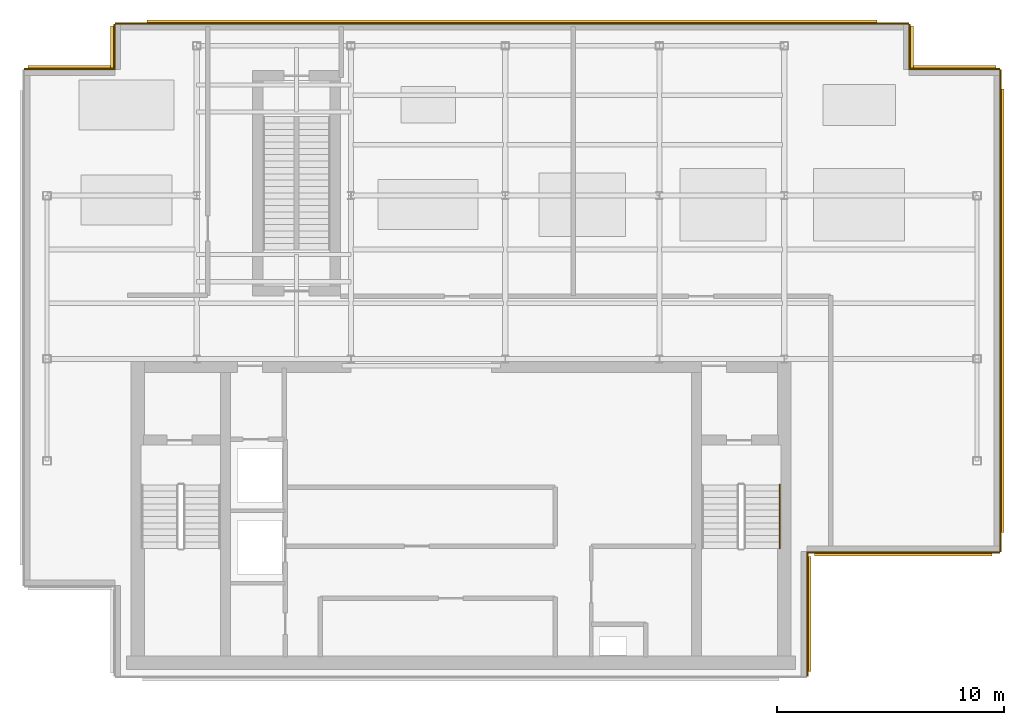
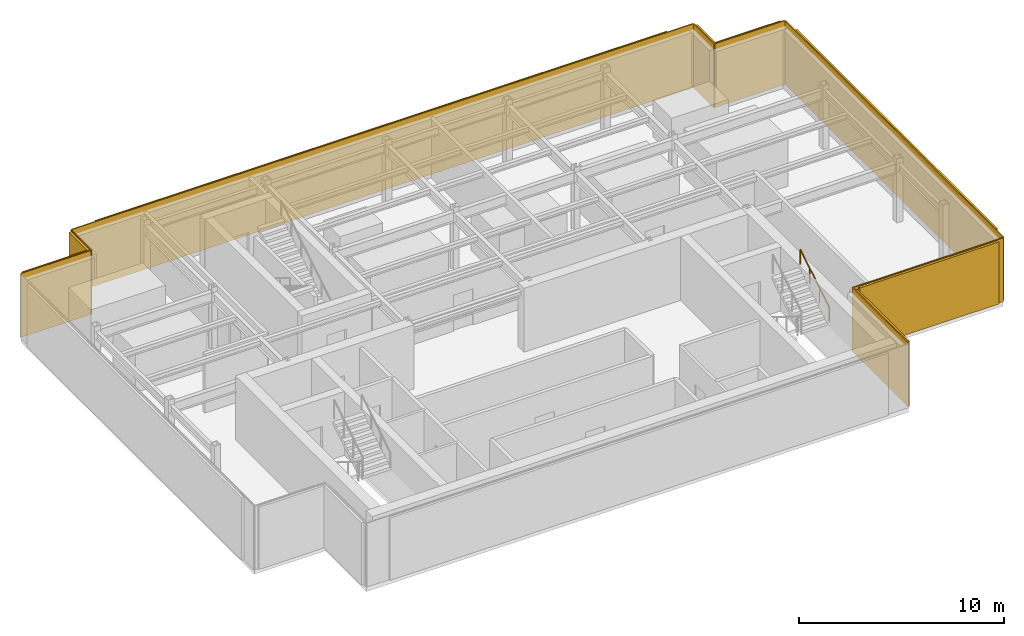
# One storey, part 6 of 7: 8 coverings, 8 shading devices, 1 railing.
"""IFC4 building model written with IfcOpenShell, lengths in metres."""

from ifc_helpers import new_model, si_unit, derived_unit, direction, frame, origin, origin_2d, place, context, subcontext, project, spatial, rectangle, circle, extrude, source, transform, mapped, material, layer, layer_set, type_object, element, save


model = new_model("IFC4")

# Units and contexts
model_context = context("Model", 3, precision=1e-05, world=origin(), true_north=direction((0.0, 1.0)))
body_context = subcontext(model_context, "Body", "Model", "MODEL_VIEW")
ifc_project = project(units=[si_unit("LENGTHUNIT", "METRE"), si_unit("AREAUNIT", "SQUARE_METRE"), si_unit("VOLUMEUNIT", "CUBIC_METRE"), si_unit("PLANEANGLEUNIT", "RADIAN"), si_unit("MASSUNIT", "GRAM", prefix="KILO"), derived_unit("THERMALTRANSMITTANCEUNIT", [(si_unit("POWERUNIT", "WATT"), 1), (si_unit("LENGTHUNIT", "METRE"), -2), (si_unit("THERMODYNAMICTEMPERATUREUNIT", "KELVIN"), -1)])], contexts=[model_context])

# Site, building, storey
site_placement = place(None, origin())
site = spatial("IfcSite", under=ifc_project, at=site_placement, CompositionType="ELEMENT")
building_placement = place(site_placement, origin())
building = spatial("IfcBuilding", under=site, at=building_placement, Name="Skarnbrae Concourse Arena and Tower", CompositionType="ELEMENT")
storey_placement = place(building_placement, frame((0.0, 0.0, 296.050048828125)))
storey = spatial("IfcBuildingStorey", under=building, at=storey_placement, Name="L77", CompositionType="ELEMENT", Elevation=296.050048828125)

# Railing
ifc_material_1 = material(Name="Steel CSA G40.21 350W", Category="steel")
railing_type = type_object("IfcRailingType", Name="RAIL-HANDRAIL-900", PredefinedType="HANDRAIL", material=ifc_material_1)
railing_placement = place(storey_placement, frame((33.300048828125, 5.64990234375, 2.07275390625)))
element("IfcRailing", 1, at=railing_placement, inside=storey, type_object=railing_type, Name="L77 ST-2 stair handrail 2", PredefinedType="HANDRAIL", context=body_context, shape_type="SweptSolid", body=[
    extrude(circle(Radius=0.02392578125, at=origin_2d()), frame((0.0, 0.0, 0.8759765625), z_axis=(0.0, 0.851089632645, 0.525020415988), x_axis=(-1.0, 0.0, 0.0)), (0.0, 0.0, 1.0), 3.2900390625),
    extrude(circle(Radius=0.02099609375, at=origin_2d()), origin(), (0.0, 0.0, 1.0), 0.851806640625),
    extrude(circle(Radius=0.02099609375, at=origin_2d()), frame((0.0, 0.933349609375, 0.57568359375)), (0.0, 0.0, 1.0), 0.851806640625),
    extrude(circle(Radius=0.02099609375, at=origin_2d()), frame((0.0, 1.86669921875, 1.151611328125)), (0.0, 0.0, 1.0), 0.851806640625),
    extrude(circle(Radius=0.02099609375, at=origin_2d()), frame((0.0, 2.800048828125, 1.727294921875)), (0.0, 0.0, 1.0), 0.851806640625),
])

# Covering
ifc_material_2 = material(Name="Bronze anodised aluminium 6063-T6", Category="aluminium")
ifc_layer = layer(ifc_material_2, 0.06005859375)
ifc_layer_set = layer_set([ifc_layer], Name="Bronze anodised aluminium 6063-T6")
covering_type = type_object("IfcCoveringType", Name="COV-CLAD-BRONZE-60", PredefinedType="CLADDING", material=ifc_layer_set)
shared_shape_1 = source(origin(), body_context, "Body", "SweptSolid", [
    extrude(rectangle(XDim=5.5, YDim=0.06005859375, at=origin_2d()), origin(), (0.0, 0.0, 1.0), 3.800048828125),
])
covering_1_placement = place(storey_placement, frame((34.530029296875, 2.75, 0.0), z_axis=(0.0, 0.0, 1.0), x_axis=(0.0, 1.0, 0.0)))
element("IfcCovering", 2, at=covering_1_placement, inside=storey, type_object=covering_type, Name="L77 Bronze crown rainscreen cladding 02", PredefinedType="CLADDING", context=body_context, shape_type="MappedRepresentation", body=[
    mapped(shared_shape_1, transform((0.0, 0.0, 0.0))),
])

# Shading device
shading_device_type = type_object("IfcShadingDeviceType", Name="SHD-BRONZE-LOUVRE-150", PredefinedType="USERDEFINED", material=ifc_material_2)
shared_shape_2 = source(origin(), body_context, "Body", "SweptSolid", [
    extrude(rectangle(XDim=5.06005859375, YDim=0.139892578125, at=origin_2d()), origin(), (0.0, 0.0, 1.0), 3.699951171875),
])
shading_device_1_placement = place(storey_placement, frame((34.6201171875, 2.75, 0.0498046875), z_axis=(0.0, 0.0, 1.0), x_axis=(0.0, 1.0, 0.0)))
element("IfcShadingDevice", 3, at=shading_device_1_placement, inside=storey, type_object=shading_device_type, Name="L77 Crown bronze architectural louvre screen 02", ObjectType="LOUVRE", PredefinedType="USERDEFINED", context=body_context, shape_type="MappedRepresentation", body=[
    mapped(shared_shape_2, transform((0.0, 0.0, 0.0))),
])

# Covering
shared_shape_3 = source(origin(), body_context, "Body", "SweptSolid", [
    extrude(rectangle(XDim=8.5, YDim=0.06005859375, at=origin_2d()), origin(), (0.0, 0.0, 1.0), 3.800048828125),
])
covering_2_placement = place(storey_placement, frame((38.75, 5.469970703125, 0.0), z_axis=(0.0, 0.0, 1.0), x_axis=(1.0, 0.0, 0.0)))
element("IfcCovering", 4, at=covering_2_placement, inside=storey, type_object=covering_type, Name="L77 Bronze crown rainscreen cladding 03", PredefinedType="CLADDING", context=body_context, shape_type="MappedRepresentation", body=[
    mapped(shared_shape_3, transform((0.0, 0.0, 0.0))),
])

# Shading device
shared_shape_4 = source(origin(), body_context, "Body", "SweptSolid", [
    extrude(rectangle(XDim=7.820068359375, YDim=0.139892578125, at=origin_2d()), origin(), (0.0, 0.0, 1.0), 3.699951171875),
])
shading_device_2_placement = place(storey_placement, frame((38.75, 5.3798828125, 0.0498046875), z_axis=(0.0, 0.0, 1.0), x_axis=(1.0, 0.0, 0.0)))
element("IfcShadingDevice", 5, at=shading_device_2_placement, inside=storey, type_object=shading_device_type, Name="L77 Crown bronze architectural louvre screen 03", ObjectType="LOUVRE", PredefinedType="USERDEFINED", context=body_context, shape_type="MappedRepresentation", body=[
    mapped(shared_shape_4, transform((0.0, 0.0, 0.0))),
])

# Covering
shared_shape_5 = source(origin(), body_context, "Body", "SweptSolid", [
    extrude(rectangle(XDim=21.25, YDim=0.06005859375, at=origin_2d()), origin(), (0.0, 0.0, 1.0), 3.800048828125),
])
covering_3_placement = place(storey_placement, frame((43.030029296875, 16.125, 0.0), z_axis=(0.0, 0.0, 1.0), x_axis=(0.0, 1.0, 0.0)))
element("IfcCovering", 6, at=covering_3_placement, inside=storey, type_object=covering_type, Name="L77 Bronze crown rainscreen cladding 04", PredefinedType="CLADDING", context=body_context, shape_type="MappedRepresentation", body=[
    mapped(shared_shape_5, transform((0.0, 0.0, 0.0))),
])

# Shading device
shared_shape_6 = source(origin(), body_context, "Body", "SweptSolid", [
    extrude(rectangle(XDim=19.550048828125, YDim=0.139892578125, at=origin_2d()), origin(), (0.0, 0.0, 1.0), 3.699951171875),
])
shading_device_3_placement = place(storey_placement, frame((43.1201171875, 16.125, 0.0498046875), z_axis=(0.0, 0.0, 1.0), x_axis=(0.0, 1.0, 0.0)))
element("IfcShadingDevice", 7, at=shading_device_3_placement, inside=storey, type_object=shading_device_type, Name="L77 Crown bronze architectural louvre screen 04", ObjectType="LOUVRE", PredefinedType="USERDEFINED", context=body_context, shape_type="MappedRepresentation", body=[
    mapped(shared_shape_6, transform((0.0, 0.0, 0.0))),
])

# Coverings
shared_shape_7 = source(origin(), body_context, "Body", "SweptSolid", [
    extrude(rectangle(XDim=4.0, YDim=0.06005859375, at=origin_2d()), origin(), (0.0, 0.0, 1.0), 3.800048828125),
])
for number, where, z_axis, x_axis, name in (
    (8, (41.0, 26.780029296875, 0.0), (0.0, 0.0, 1.0), (-1.0, 0.0, 0.0), "L77 Bronze crown rainscreen cladding 05"),
    (9, (2.0, 26.780029296875, 0.0), (0.0, 0.0, 1.0), (-1.0, 0.0, 0.0), "L77 Bronze crown rainscreen cladding 09"),
):
    element("IfcCovering", number, at=place(storey_placement, frame(where, z_axis=z_axis, x_axis=x_axis)), inside=storey, type_object=covering_type, Name=name, PredefinedType="CLADDING", context=body_context, shape_type="MappedRepresentation", body=[
        mapped(shared_shape_7, transform((0.0, 0.0, 0.0))),
    ])

# Shading devices
shared_shape_8 = source(origin(), body_context, "Body", "SweptSolid", [
    extrude(rectangle(XDim=3.679931640625, YDim=0.139892578125, at=origin_2d()), origin(), (0.0, 0.0, 1.0), 3.699951171875),
])
for number, where, z_axis, x_axis, name in (
    (10, (41.0, 26.8701171875, 0.0498046875), (0.0, 0.0, 1.0), (-1.0, 0.0, 0.0), "L77 Crown bronze architectural louvre screen 05"),
    (11, (2.0, 26.8701171875, 0.0498046875), (0.0, 0.0, 1.0), (-1.0, 0.0, 0.0), "L77 Crown bronze architectural louvre screen 09"),
):
    element("IfcShadingDevice", number, at=place(storey_placement, frame(where, z_axis=z_axis, x_axis=x_axis)), inside=storey, type_object=shading_device_type, Name=name, ObjectType="LOUVRE", PredefinedType="USERDEFINED", context=body_context, shape_type="MappedRepresentation", body=[
        mapped(shared_shape_8, transform((0.0, 0.0, 0.0))),
    ])

# Coverings
shared_shape_9 = source(origin(), body_context, "Body", "SweptSolid", [
    extrude(rectangle(XDim=2.0, YDim=0.06005859375, at=origin_2d()), origin(), (0.0, 0.0, 1.0), 3.800048828125),
])
for number, where, z_axis, x_axis, name in (
    (12, (39.030029296875, 27.75, 0.0), (0.0, 0.0, 1.0), (0.0, 1.0, 0.0), "L77 Bronze crown rainscreen cladding 06"),
    (13, (3.969970703125, 27.75, 0.0), (0.0, 0.0, 1.0), (0.0, -1.0, 0.0), "L77 Bronze crown rainscreen cladding 08"),
):
    element("IfcCovering", number, at=place(storey_placement, frame(where, z_axis=z_axis, x_axis=x_axis)), inside=storey, type_object=covering_type, Name=name, PredefinedType="CLADDING", context=body_context, shape_type="MappedRepresentation", body=[
        mapped(shared_shape_9, transform((0.0, 0.0, 0.0))),
    ])

# Shading devices
shared_shape_10 = source(origin(), body_context, "Body", "SweptSolid", [
    extrude(rectangle(XDim=1.840087890625, YDim=0.139892578125, at=origin_2d()), origin(), (0.0, 0.0, 1.0), 3.699951171875),
])
for number, where, z_axis, x_axis, name in (
    (14, (39.1201171875, 27.75, 0.0498046875), (0.0, 0.0, 1.0), (0.0, 1.0, 0.0), "L77 Crown bronze architectural louvre screen 06"),
    (15, (3.8798828125, 27.75, 0.0498046875), (0.0, 0.0, 1.0), (0.0, -1.0, 0.0), "L77 Crown bronze architectural louvre screen 08"),
):
    element("IfcShadingDevice", number, at=place(storey_placement, frame(where, z_axis=z_axis, x_axis=x_axis)), inside=storey, type_object=shading_device_type, Name=name, ObjectType="LOUVRE", PredefinedType="USERDEFINED", context=body_context, shape_type="MappedRepresentation", body=[
        mapped(shared_shape_10, transform((0.0, 0.0, 0.0))),
    ])

# Covering
shared_shape_11 = source(origin(), body_context, "Body", "SweptSolid", [
    extrude(rectangle(XDim=35.0, YDim=0.06005859375, at=origin_2d()), origin(), (0.0, 0.0, 1.0), 3.800048828125),
])
covering_4_placement = place(storey_placement, frame((21.5, 28.780029296875, 0.0), z_axis=(0.0, 0.0, 1.0), x_axis=(-1.0, 0.0, 0.0)))
element("IfcCovering", 16, at=covering_4_placement, inside=storey, type_object=covering_type, Name="L77 Bronze crown rainscreen cladding 07", PredefinedType="CLADDING", context=body_context, shape_type="MappedRepresentation", body=[
    mapped(shared_shape_11, transform((0.0, 0.0, 0.0))),
])

# Shading device
shared_shape_12 = source(origin(), body_context, "Body", "SweptSolid", [
    extrude(rectangle(XDim=32.199951171875, YDim=0.139892578125, at=origin_2d()), origin(), (0.0, 0.0, 1.0), 3.699951171875),
])
shading_device_4_placement = place(storey_placement, frame((21.5, 28.8701171875, 0.0498046875), z_axis=(0.0, 0.0, 1.0), x_axis=(-1.0, 0.0, 0.0)))
element("IfcShadingDevice", 17, at=shading_device_4_placement, inside=storey, type_object=shading_device_type, Name="L77 Crown bronze architectural louvre screen 07", ObjectType="LOUVRE", PredefinedType="USERDEFINED", context=body_context, shape_type="MappedRepresentation", body=[
    mapped(shared_shape_12, transform((0.0, 0.0, 0.0))),
])

save(model, "model.ifc")
